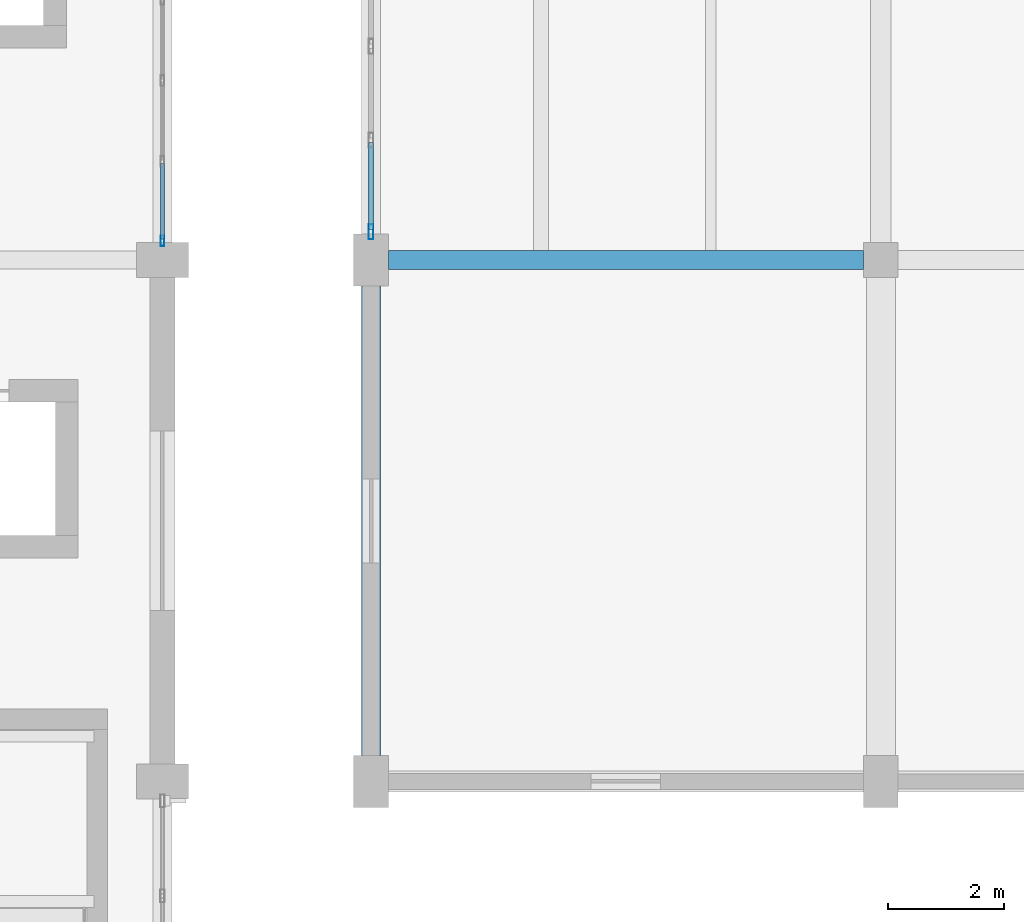
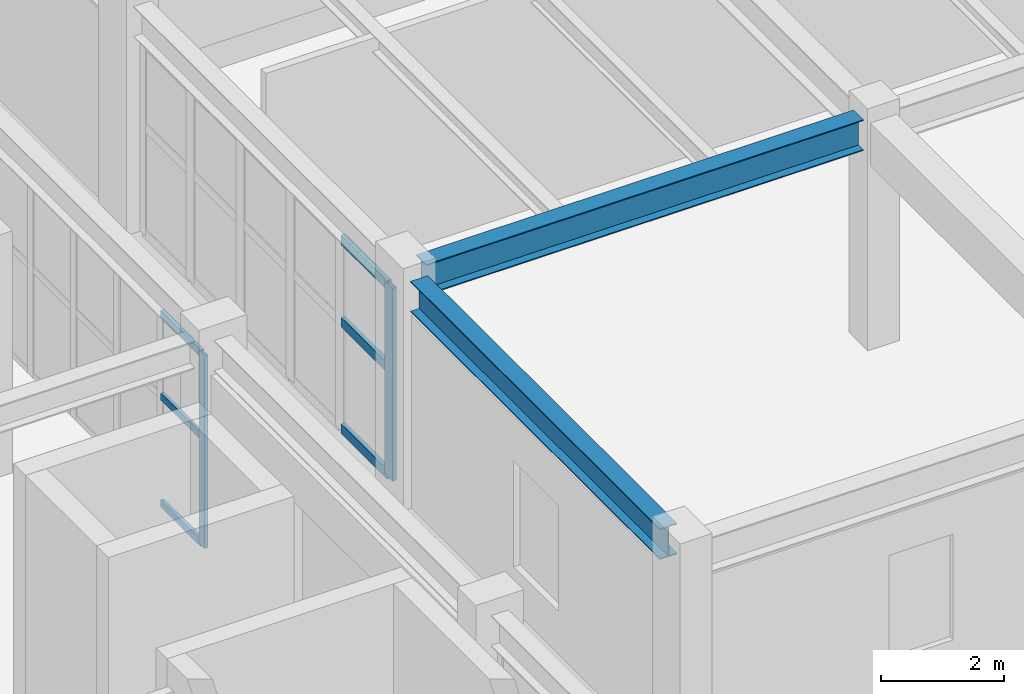
# One storey, part 28 of 96: 8 members, 2 beams, 2 elements without a shape of their own.
"""IFC4 building model written with IfcOpenShell, lengths in metres."""

from ifc_helpers import new_model, si_unit, direction, frame, origin, origin_2d, place, context, subcontext, project, spatial, hollow_rectangle, i_section, extrude, material, layer, layer_set, material_profile, profile_set, type_object, element, aggregate, save


model = new_model("IFC4")

# Units and contexts
model_context = context("Model", 3, precision=1e-05, world=origin(), true_north=direction((0.0, 1.0)))
body_context = subcontext(model_context, "Body", "Model", "MODEL_VIEW")
ifc_project = project(units=[si_unit("LENGTHUNIT", "METRE"), si_unit("AREAUNIT", "SQUARE_METRE"), si_unit("VOLUMEUNIT", "CUBIC_METRE"), si_unit("PLANEANGLEUNIT", "RADIAN"), si_unit("MASSUNIT", "GRAM", prefix="KILO")], contexts=[model_context])

# Site, building, storey
site_placement = place(None, origin())
site = spatial("IfcSite", under=ifc_project, at=site_placement, CompositionType="ELEMENT")
building_placement = place(site_placement, origin())
building = spatial("IfcBuilding", under=site, at=building_placement, Name="Vaelkrest Opera House", CompositionType="ELEMENT")
storey_placement = place(building_placement, frame((0.0, 0.0, 5.39990234375)))
storey = spatial("IfcBuildingStorey", under=building, at=storey_placement, Name="L01", CompositionType="ELEMENT", Elevation=5.39990234375)

# Beam
ifc_material_1 = material(Name="Steel A992 Gr50", Category="steel")
ifc_material_profile_1 = material_profile(ifc_material_1, i_section(OverallWidth=0.323974609375, OverallDepth=0.611083984375, WebThickness=0.0126953125, FlangeThickness=0.01904296875, at=origin_2d()), Name="W24X104")
ifc_profile_set_1 = profile_set([ifc_material_profile_1], Name="Steel A992 Gr50")
beam_type_1 = type_object("IfcBeamType", Name="B08", PredefinedType="BEAM", material=ifc_profile_set_1)
beam_1_placement = place(storey_placement, frame((33.89990234375, -28.800048828125, 4.194580078125), z_axis=(1.0, 0.0, 0.0), x_axis=(0.0, 1.0, 0.0)))
element("IfcBeam", 1, at=beam_1_placement, inside=storey, type_object=beam_type_1, Name="Beam BM-V4-L01-2121", PredefinedType="BEAM", context=body_context, shape_type="SweptSolid", body=[
    extrude(i_section(OverallWidth=0.323974609375, OverallDepth=0.611083984375, WebThickness=0.0126953125, FlangeThickness=0.01904296875, at=origin_2d()), origin(), (0.0, 0.0, 1.0), 8.2001953125),
])

# Curtain wall, member
ifc_material_2 = material(Name="Dark bronze anodized aluminium", Category="aluminium")
ifc_layer_1 = layer(ifc_material_2, 0.179931640625)
ifc_layer_set_1 = layer_set([ifc_layer_1], Name="Dark bronze anodized aluminium")
curtain_wall_type_1 = type_object("IfcCurtainWallType", Name="CW01", PredefinedType="NOTDEFINED", material=ifc_layer_set_1)
curtain_wall_1_placement = place(storey_placement, origin())
curtain_wall_1 = element("IfcCurtainWall", 2, at=curtain_wall_1_placement, inside=storey, type_object=curtain_wall_type_1, Name="Curtain wall CW-L01-029", PredefinedType="NOTDEFINED")
ifc_material_profile_2 = material_profile(ifc_material_2, hollow_rectangle(XDim=0.06494140625, YDim=0.179931640625, WallThickness=0.00390625, at=origin_2d()), Name="CWM65X180")
ifc_profile_set_2 = profile_set([ifc_material_profile_2], Name="Dark bronze anodized aluminium")
member_type_1 = type_object("IfcMemberType", Name="CWM01", PredefinedType="MULLION", material=ifc_profile_set_2)
member_1_placement = place(storey_placement, frame((30.0, -28.469482421875, 0.0), z_axis=(0.0, 0.0, 1.0), x_axis=(1.0, 0.0, 0.0)))
member_1 = element("IfcMember", 3, at=member_1_placement, type_object=member_type_1, Name="CW01 mullion 7", PredefinedType="MULLION", context=body_context, shape_type="SweptSolid", body=[
    extrude(hollow_rectangle(XDim=0.06494140625, YDim=0.179931640625, WallThickness=0.00390625, at=origin_2d()), origin(), (0.0, 0.0, 1.0), 3.82421875),
])

ifc_layer_2 = layer(ifc_material_2, 0.2099609375)
ifc_layer_set_2 = layer_set([ifc_layer_2], Name="Dark bronze anodized aluminium")
curtain_wall_type_2 = type_object("IfcCurtainWallType", Name="CW04", PredefinedType="NOTDEFINED", material=ifc_layer_set_2)
curtain_wall_2_placement = place(storey_placement, origin())
curtain_wall_2 = element("IfcCurtainWall", 4, at=curtain_wall_2_placement, inside=storey, type_object=curtain_wall_type_2, Name="Curtain wall CW-L01-154", PredefinedType="NOTDEFINED")
ifc_material_profile_3 = material_profile(ifc_material_2, hollow_rectangle(XDim=0.080078125, YDim=0.260009765625, WallThickness=0.0048828125, at=origin_2d()), Name="CWM80X260")
ifc_profile_set_3 = profile_set([ifc_material_profile_3], Name="Dark bronze anodized aluminium")
member_type_2 = type_object("IfcMemberType", Name="CWM04", PredefinedType="MULLION", material=ifc_profile_set_3)
member_2_placement = place(storey_placement, frame((33.60009765625, -28.31201171875, 0.0), z_axis=(0.0, 0.0, 1.0), x_axis=(-1.0, 0.0, 0.0)))
member_2 = element("IfcMember", 5, at=member_2_placement, type_object=member_type_2, Name="CW04 mullion 1", PredefinedType="MULLION", context=body_context, shape_type="SweptSolid", body=[
    extrude(hollow_rectangle(XDim=0.080078125, YDim=0.260009765625, WallThickness=0.0048828125, at=origin_2d()), origin(), (0.0, 0.0, 1.0), 3.82421875),
])

# Member
ifc_material_profile_4 = material_profile(ifc_material_2, hollow_rectangle(XDim=0.06494140625, YDim=0.139892578125, WallThickness=0.00390625, at=origin_2d()), Name="CWT65X140")
ifc_profile_set_4 = profile_set([ifc_material_profile_4], Name="Dark bronze anodized aluminium")
member_type_3 = type_object("IfcMemberType", Name="CWT01", PredefinedType="USERDEFINED", material=ifc_profile_set_4)
member_3_placement = place(storey_placement, frame((30.0, -27.1337890625, 0.03271484375), z_axis=(0.0, -1.0, 0.0), x_axis=(1.0, 0.0, 0.0)))
member_3 = element("IfcMember", 6, at=member_3_placement, type_object=member_type_3, Name="CW01 transom 6.1", ObjectType="TRANSOM", PredefinedType="USERDEFINED", context=body_context, shape_type="SweptSolid", body=[
    extrude(hollow_rectangle(XDim=0.06494140625, YDim=0.139892578125, WallThickness=0.00390625, at=origin_2d()), origin(), (0.0, 0.0, 1.0), 1.30322265625),
])

member_4_placement = place(storey_placement, frame((30.0, -27.1337890625, 2.150146484375), z_axis=(0.0, -1.0, 0.0), x_axis=(1.0, 0.0, 0.0)))
member_4 = element("IfcMember", 7, at=member_4_placement, type_object=member_type_3, Name="CW01 transom 6.2", ObjectType="TRANSOM", PredefinedType="USERDEFINED", context=body_context, shape_type="SweptSolid", body=[
    extrude(hollow_rectangle(XDim=0.06494140625, YDim=0.139892578125, WallThickness=0.00390625, at=origin_2d()), origin(), (0.0, 0.0, 1.0), 1.30322265625),
])

member_5_placement = place(storey_placement, frame((30.0, -27.1337890625, 3.79150390625), z_axis=(0.0, -1.0, 0.0), x_axis=(1.0, 0.0, 0.0)))
member_5 = element("IfcMember", 8, at=member_5_placement, type_object=member_type_3, Name="CW01 transom 6.3", ObjectType="TRANSOM", PredefinedType="USERDEFINED", context=body_context, shape_type="SweptSolid", body=[
    extrude(hollow_rectangle(XDim=0.06494140625, YDim=0.139892578125, WallThickness=0.00390625, at=origin_2d()), origin(), (0.0, 0.0, 1.0), 1.30322265625),
])

aggregate(curtain_wall_1, [member_1, member_3, member_4, member_5])

ifc_material_profile_5 = material_profile(ifc_material_2, hollow_rectangle(XDim=0.080078125, YDim=0.18994140625, WallThickness=0.0048828125, at=origin_2d()), Name="CWT80X190")
ifc_profile_set_5 = profile_set([ifc_material_profile_5], Name="Dark bronze anodized aluminium")
member_type_4 = type_object("IfcMemberType", Name="CWT04", PredefinedType="USERDEFINED", material=ifc_profile_set_5)
member_6_placement = place(storey_placement, frame((33.60009765625, -28.27197265625, 0.0400390625), z_axis=(0.0, 1.0, 0.0), x_axis=(-1.0, 0.0, 0.0)))
member_6 = element("IfcMember", 9, at=member_6_placement, type_object=member_type_4, Name="CW04 transom 1.1", ObjectType="TRANSOM", PredefinedType="USERDEFINED", context=body_context, shape_type="SweptSolid", body=[
    extrude(hollow_rectangle(XDim=0.080078125, YDim=0.18994140625, WallThickness=0.0048828125, at=origin_2d()), origin(), (0.0, 0.0, 1.0), 1.500732421875),
])

member_7_placement = place(storey_placement, frame((33.60009765625, -28.27197265625, 2.150146484375), z_axis=(0.0, 1.0, 0.0), x_axis=(-1.0, 0.0, 0.0)))
member_7 = element("IfcMember", 10, at=member_7_placement, type_object=member_type_4, Name="CW04 transom 1.2", ObjectType="TRANSOM", PredefinedType="USERDEFINED", context=body_context, shape_type="SweptSolid", body=[
    extrude(hollow_rectangle(XDim=0.080078125, YDim=0.18994140625, WallThickness=0.0048828125, at=origin_2d()), origin(), (0.0, 0.0, 1.0), 1.500732421875),
])

member_8_placement = place(storey_placement, frame((33.60009765625, -28.27197265625, 3.7841796875), z_axis=(0.0, 1.0, 0.0), x_axis=(-1.0, 0.0, 0.0)))
member_8 = element("IfcMember", 11, at=member_8_placement, type_object=member_type_4, Name="CW04 transom 1.3", ObjectType="TRANSOM", PredefinedType="USERDEFINED", context=body_context, shape_type="SweptSolid", body=[
    extrude(hollow_rectangle(XDim=0.080078125, YDim=0.18994140625, WallThickness=0.0048828125, at=origin_2d()), origin(), (0.0, 0.0, 1.0), 1.500732421875),
])

aggregate(curtain_wall_2, [member_2, member_6, member_7, member_8])

# Beam
ifc_material_profile_6 = material_profile(ifc_material_1, i_section(OverallWidth=0.323974609375, OverallDepth=0.611083984375, WebThickness=0.0126953125, FlangeThickness=0.01904296875, at=origin_2d()), Name="W24X104")
ifc_profile_set_6 = profile_set([ifc_material_profile_6], Name="Steel A992 Gr50")
beam_type_2 = type_object("IfcBeamType", Name="SP01", PredefinedType="SPANDREL", material=ifc_profile_set_6)
beam_2_placement = place(storey_placement, frame((33.60009765625, -37.35009765625, 4.19970703125), z_axis=(0.0, 1.0, 0.0), x_axis=(-1.0, 0.0, 0.0)))
element("IfcBeam", 12, at=beam_2_placement, inside=storey, type_object=beam_type_2, Name="Beam BM-V4-L01-2164", PredefinedType="SPANDREL", context=body_context, shape_type="SweptSolid", body=[
    extrude(i_section(OverallWidth=0.323974609375, OverallDepth=0.611083984375, WebThickness=0.0126953125, FlangeThickness=0.01904296875, at=origin_2d()), origin(), (0.0, 0.0, 1.0), 8.10009765625),
])

save(model, "model.ifc")
